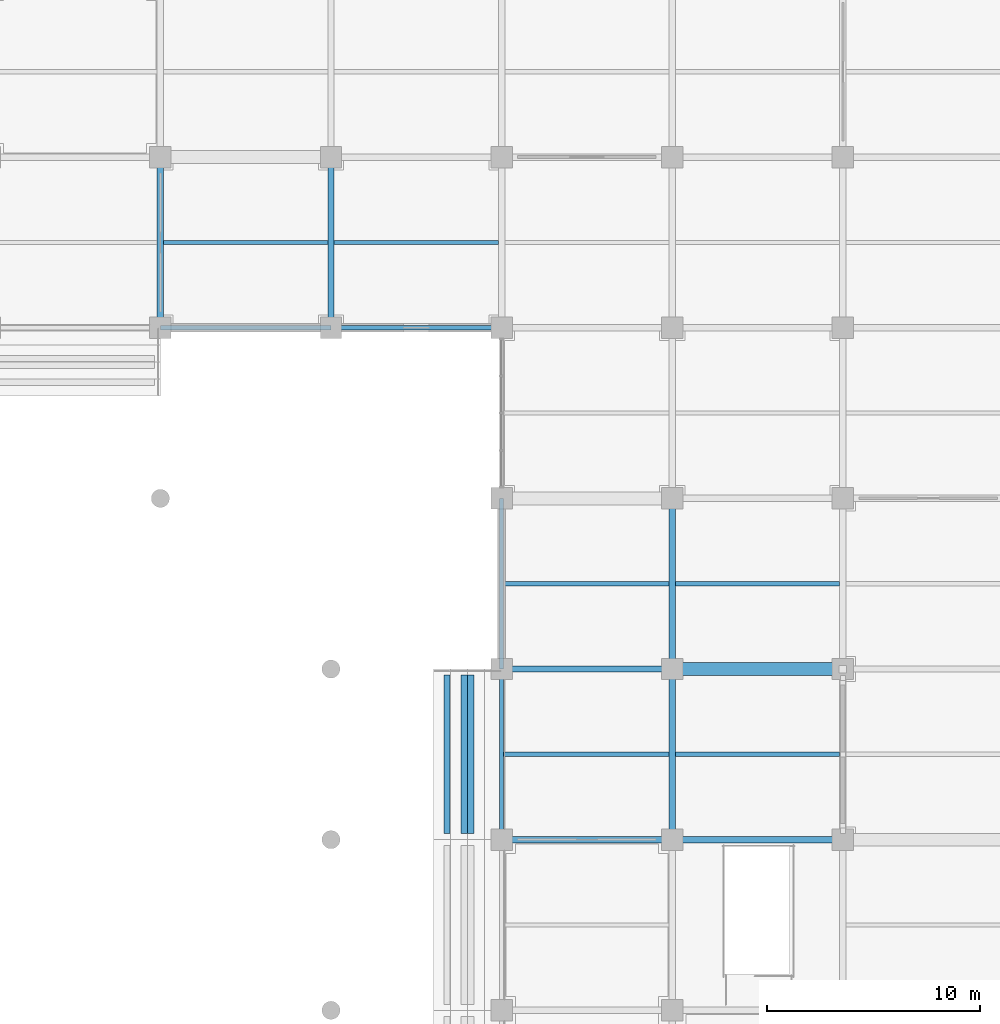
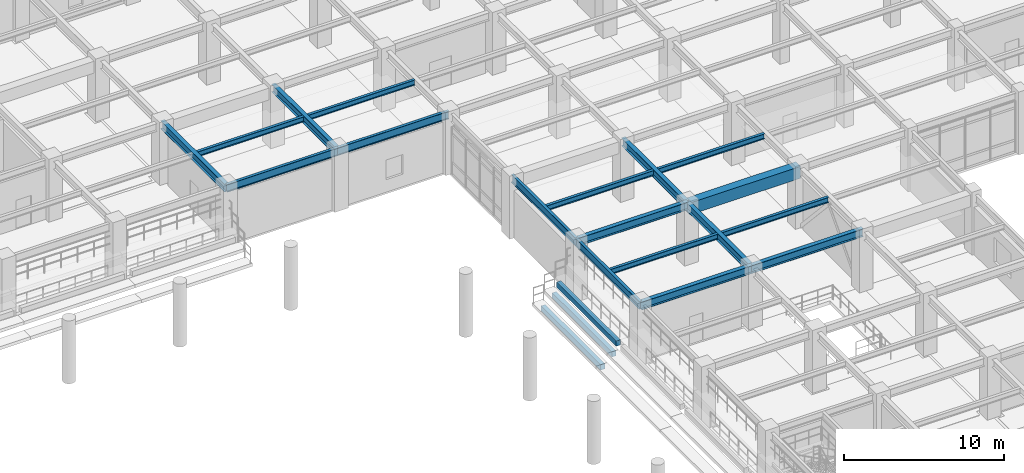
# One storey, part 48 of 117: 21 beams.
"""IFC4 building model written with IfcOpenShell, lengths in metres."""

from ifc_helpers import new_model, si_unit, direction, frame, origin, origin_2d, place, context, subcontext, project, spatial, rectangle, i_section, extrude, material, material_profile, profile_set, type_object, element, save


model = new_model("IFC4")

# Units and contexts
model_context = context("Model", 3, precision=1e-05, world=origin(), true_north=direction((0.0, 1.0)))
body_context = subcontext(model_context, "Body", "Model", "MODEL_VIEW")
ifc_project = project(units=[si_unit("LENGTHUNIT", "METRE"), si_unit("AREAUNIT", "SQUARE_METRE"), si_unit("VOLUMEUNIT", "CUBIC_METRE"), si_unit("PLANEANGLEUNIT", "RADIAN"), si_unit("MASSUNIT", "GRAM", prefix="KILO")], contexts=[model_context])

# Site, building, storey
site_placement = place(None, origin())
site = spatial("IfcSite", under=ifc_project, at=site_placement, CompositionType="ELEMENT")
building_placement = place(site_placement, origin())
building = spatial("IfcBuilding", under=site, at=building_placement, Name="Haebicheon Civic Stadium", CompositionType="ELEMENT")
storey_placement = place(building_placement, frame((0.0, 0.0, 4.800048828125)))
storey = spatial("IfcBuildingStorey", under=building, at=storey_placement, Name="L02", CompositionType="ELEMENT", Elevation=4.800048828125)

# Beams
ifc_material_1 = material(Name="Precast concrete C40/50", Category="concrete")
ifc_material_profile_1 = material_profile(ifc_material_1, rectangle(XDim=0.300048828125, YDim=0.39990234375, at=origin_2d()), Name="PC-LN-300x400")
ifc_profile_set_1 = profile_set([ifc_material_profile_1], Name="Precast concrete C40/50")
beam_type_1 = type_object("IfcBeamType", Name="BM-LN-300x400", PredefinedType="LINTEL", material=ifc_profile_set_1)
for number, where, z_axis, x_axis, name in (
    (1, (141.43994140625, 128.280029296875, 0.22705078125), (0.0, 1.0, 0.0), (-1.0, 0.0, 0.0), "TIER-E-L precast step carrier beam 11.7"),
    (2, (142.239990234375, 128.280029296875, 0.93798828125), (0.0, 1.0, 0.0), (-1.0, 0.0, 0.0), "TIER-E-L precast step carrier beam 11.8"),
    (3, (142.56005859375, 128.280029296875, 1.64892578125), (0.0, 1.0, 0.0), (-1.0, 0.0, 0.0), "TIER-E-L precast step carrier beam 11.9"),
):
    element("IfcBeam", number, at=place(storey_placement, frame(where, z_axis=z_axis, x_axis=x_axis)), inside=storey, type_object=beam_type_1, material=ifc_profile_set_1, Name=name, PredefinedType="LINTEL", context=body_context, shape_type="SweptSolid", body=[
        extrude(rectangle(XDim=0.300048828125, YDim=0.39990234375, at=origin_2d()), origin(), (0.0, 0.0, 1.0), 7.43994140625),
    ])
ifc_material_2 = material(Name="Concrete C40/50", Category="concrete")
ifc_material_profile_2 = material_profile(ifc_material_2, rectangle(XDim=0.60009765625, YDim=0.89990234375, at=origin_2d()), Name="RC-BM-600x900")
ifc_profile_set_2 = profile_set([ifc_material_profile_2], Name="Concrete C40/50")
beam_type_2 = type_object("IfcBeamType", Name="BM-RC-600x900", PredefinedType="BEAM", material=ifc_profile_set_2)
beam_placement = place(storey_placement, frame((152.0, 136.0, 4.070068359375), z_axis=(1.0, 0.0, 0.0), x_axis=(0.0, 1.0, 0.0)))
element("IfcBeam", 4, at=beam_placement, inside=storey, type_object=beam_type_2, material=ifc_profile_set_2, Name="L02 beam T/20-21", PredefinedType="BEAM", context=body_context, shape_type="SweptSolid", body=[
    extrude(rectangle(XDim=0.60009765625, YDim=0.89990234375, at=origin_2d()), origin(), (0.0, 0.0, 1.0), 8.0),
])
ifc_material_3 = material(Name="Steel SM355 (S355)", Category="steel")
ifc_material_profile_3 = material_profile(ifc_material_3, i_section(OverallWidth=0.300048828125, OverallDepth=0.60009765625, WebThickness=0.011962890625, FlangeThickness=0.02001953125, at=origin_2d()), Name="H-600x300x12x20")
ifc_profile_set_3 = profile_set([ifc_material_profile_3], Name="Steel SM355 (S355)")
beam_type_3 = type_object("IfcBeamType", Name="BM-ST-H600A", PredefinedType="BEAM", material=ifc_profile_set_3)
for number, where, z_axis, x_axis, name in (
    (5, (128.0, 152.0, 4.219970703125), (0.0, 1.0, 0.0), (-1.0, 0.0, 0.0), "L02 girder 17/V-W"),
    (6, (136.0, 152.0, 4.219970703125), (0.0, 1.0, 0.0), (-1.0, 0.0, 0.0), "L02 girder 18/V-W"),
    (7, (152.0, 128.0, 4.219970703125), (0.0, 1.0, 0.0), (-1.0, 0.0, 0.0), "L02 girder 20/S-T"),
    (8, (152.0, 136.0, 4.219970703125), (0.0, 1.0, 0.0), (-1.0, 0.0, 0.0), "L02 girder 20/T-U"),
    (9, (144.0, 128.0, 4.219970703125), (1.0, 0.0, 0.0), (0.0, 1.0, 0.0), "L02 beam S/19-20"),
    (10, (144.0, 136.0, 4.219970703125), (1.0, 0.0, 0.0), (0.0, 1.0, 0.0), "L02 beam T/19-20"),
    (11, (152.0, 128.0, 4.219970703125), (1.0, 0.0, 0.0), (0.0, 1.0, 0.0), "L02 beam S/20-21"),
):
    element("IfcBeam", number, at=place(storey_placement, frame(where, z_axis=z_axis, x_axis=x_axis)), inside=storey, type_object=beam_type_3, material=ifc_profile_set_3, Name=name, PredefinedType="BEAM", context=body_context, shape_type="SweptSolid", body=[
        extrude(i_section(OverallWidth=0.300048828125, OverallDepth=0.60009765625, WebThickness=0.011962890625, FlangeThickness=0.02001953125, at=origin_2d()), origin(), (0.0, 0.0, 1.0), 8.0),
    ])
ifc_material_4 = material(Name="Steel SM355 (S355)", Category="steel")
ifc_material_profile_4 = material_profile(ifc_material_4, i_section(OverallWidth=0.199951171875, OverallDepth=0.39990234375, WebThickness=0.008056640625, FlangeThickness=0.012939453125, at=origin_2d()), Name="H-400x200x8x13")
ifc_profile_set_4 = profile_set([ifc_material_profile_4], Name="Steel SM355 (S355)")
beam_type_4 = type_object("IfcBeamType", Name="JST-ST-H400", PredefinedType="JOIST", material=ifc_profile_set_4)
for number, where, z_axis, x_axis, name in (
    (12, (128.14990234375, 156.0, 4.320068359375), (1.0, 0.0, 0.0), (0.0, 1.0, 0.0), "L02 secondary joist 16-19"),
    (13, (136.14990234375, 156.0, 4.320068359375), (1.0, 0.0, 0.0), (0.0, 1.0, 0.0), "L02 secondary joist 17-19"),
):
    element("IfcBeam", number, at=place(storey_placement, frame(where, z_axis=z_axis, x_axis=x_axis)), inside=storey, type_object=beam_type_4, material=ifc_profile_set_4, Name=name, PredefinedType="JOIST", context=body_context, shape_type="SweptSolid", body=[
        extrude(i_section(OverallWidth=0.199951171875, OverallDepth=0.39990234375, WebThickness=0.008056640625, FlangeThickness=0.012939453125, at=origin_2d()), origin(), (0.0, 0.0, 1.0), 7.7001953125),
    ])
for number, where, z_axis, x_axis, name in (
    (14, (144.10009765625, 132.0, 4.320068359375), (1.0, 0.0, 0.0), (0.0, 1.0, 0.0), "L02 secondary joist 18-16"),
    (15, (144.10009765625, 140.0, 4.320068359375), (1.0, 0.0, 0.0), (0.0, 1.0, 0.0), "L02 secondary joist 18-17"),
):
    element("IfcBeam", number, at=place(storey_placement, frame(where, z_axis=z_axis, x_axis=x_axis)), inside=storey, type_object=beam_type_4, material=ifc_profile_set_4, Name=name, PredefinedType="JOIST", context=body_context, shape_type="SweptSolid", body=[
        extrude(i_section(OverallWidth=0.199951171875, OverallDepth=0.39990234375, WebThickness=0.008056640625, FlangeThickness=0.012939453125, at=origin_2d()), origin(), (0.0, 0.0, 1.0), 7.75),
    ])
for number, where, z_axis, x_axis, name in (
    (16, (152.14990234375, 132.0, 4.320068359375), (1.0, 0.0, 0.0), (0.0, 1.0, 0.0), "L02 secondary joist 19-16"),
    (17, (152.14990234375, 140.0, 4.320068359375), (1.0, 0.0, 0.0), (0.0, 1.0, 0.0), "L02 secondary joist 19-17"),
):
    element("IfcBeam", number, at=place(storey_placement, frame(where, z_axis=z_axis, x_axis=x_axis)), inside=storey, type_object=beam_type_4, material=ifc_profile_set_4, Name=name, PredefinedType="JOIST", context=body_context, shape_type="SweptSolid", body=[
        extrude(i_section(OverallWidth=0.199951171875, OverallDepth=0.39990234375, WebThickness=0.008056640625, FlangeThickness=0.012939453125, at=origin_2d()), origin(), (0.0, 0.0, 1.0), 7.7001953125),
    ])
ifc_material_5 = material(Name="Steel SM355 (S355)", Category="steel")
ifc_material_profile_5 = material_profile(ifc_material_5, i_section(OverallWidth=0.199951171875, OverallDepth=0.60009765625, WebThickness=0.010986328125, FlangeThickness=0.01708984375, at=origin_2d()), Name="H-600x200x11x17")
ifc_profile_set_5 = profile_set([ifc_material_profile_5], Name="Steel SM355 (S355)")
beam_type_5 = type_object("IfcBeamType", Name="SPD-ST-H600B", PredefinedType="SPANDREL", material=ifc_profile_set_5)
for number, where, z_axis, x_axis, name in (
    (18, (144.0, 128.0, 4.219970703125), (0.0, 1.0, 0.0), (-1.0, 0.0, 0.0), "L02 girder 19/S-T"),
    (19, (144.0, 136.0, 4.219970703125), (0.0, 1.0, 0.0), (-1.0, 0.0, 0.0), "L02 girder 19/T-U"),
    (20, (128.0, 152.0, 4.219970703125), (1.0, 0.0, 0.0), (0.0, 1.0, 0.0), "L02 beam V/17-18"),
    (21, (136.0, 152.0, 4.219970703125), (1.0, 0.0, 0.0), (0.0, 1.0, 0.0), "L02 beam V/18-19"),
):
    element("IfcBeam", number, at=place(storey_placement, frame(where, z_axis=z_axis, x_axis=x_axis)), inside=storey, type_object=beam_type_5, material=ifc_profile_set_5, Name=name, PredefinedType="SPANDREL", context=body_context, shape_type="SweptSolid", body=[
        extrude(i_section(OverallWidth=0.199951171875, OverallDepth=0.60009765625, WebThickness=0.010986328125, FlangeThickness=0.01708984375, at=origin_2d()), origin(), (0.0, 0.0, 1.0), 8.0),
    ])

save(model, "model.ifc")
